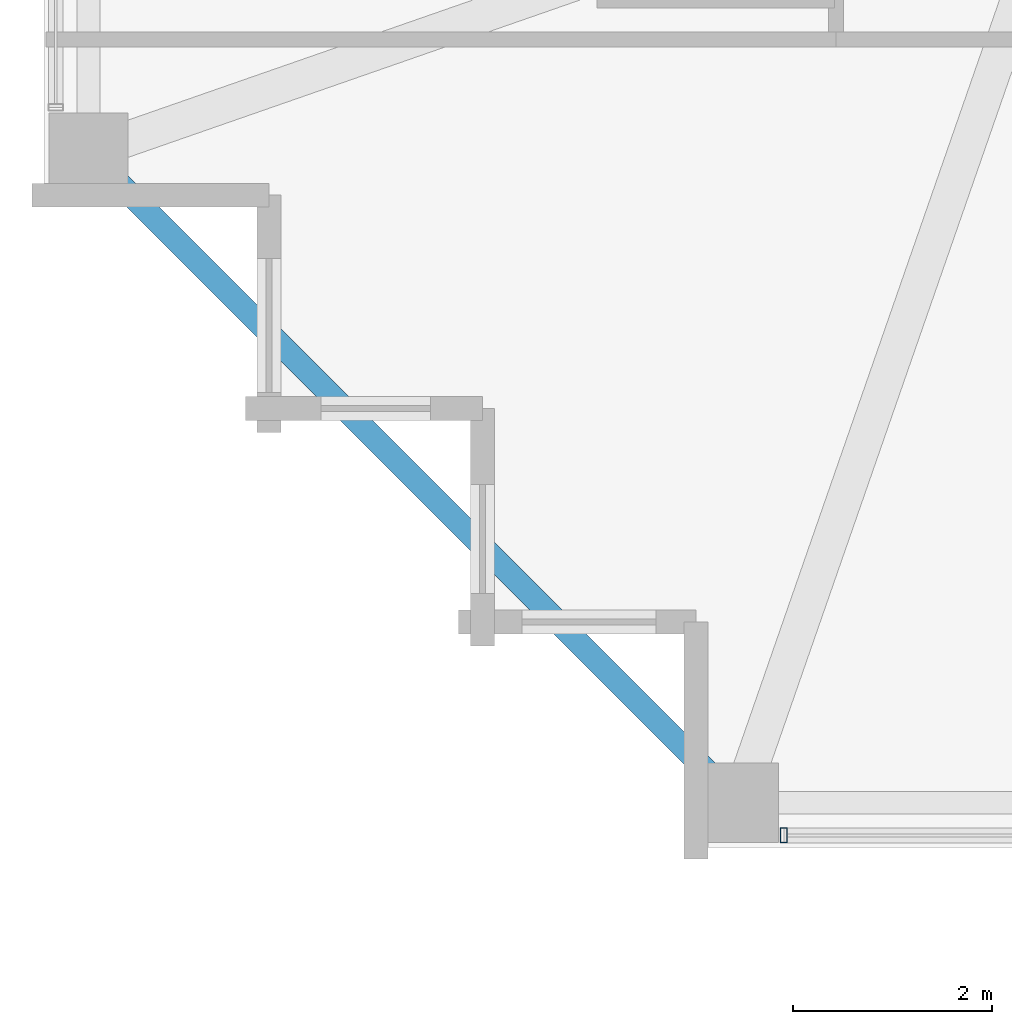
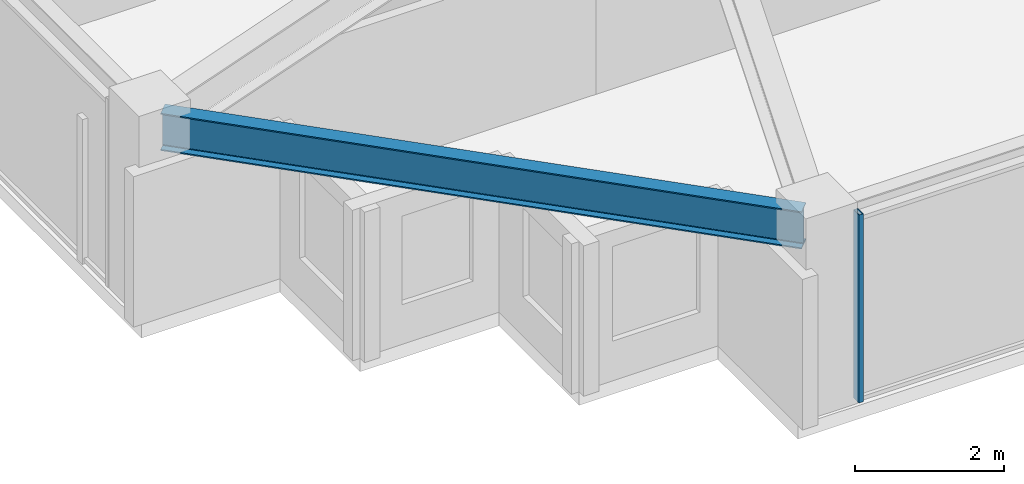
# One storey, part 2 of 36: 1 beam, 1 member, 1 element without a shape of its own.
"""IFC4 building model written with IfcOpenShell, lengths in metres."""

from ifc_helpers import new_model, si_unit, direction, frame, origin, origin_2d, place, context, subcontext, project, spatial, hollow_rectangle, i_section, extrude, material, material_profile, profile_set, type_object, element, aggregate, save


model = new_model("IFC4")

# Units and contexts
model_context = context("Model", 3, precision=1e-05, world=origin(), true_north=direction((0.0, 1.0)))
body_context = subcontext(model_context, "Body", "Model", "MODEL_VIEW")
ifc_project = project(units=[si_unit("LENGTHUNIT", "METRE"), si_unit("AREAUNIT", "SQUARE_METRE"), si_unit("VOLUMEUNIT", "CUBIC_METRE"), si_unit("PLANEANGLEUNIT", "RADIAN"), si_unit("MASSUNIT", "GRAM", prefix="KILO")], contexts=[model_context])

# Site, building, storey
site_placement = place(None, origin())
site = spatial("IfcSite", under=ifc_project, at=site_placement, CompositionType="ELEMENT")
building_placement = place(site_placement, origin())
building = spatial("IfcBuilding", under=site, at=building_placement, Name="Kolvaren Belvedere", CompositionType="ELEMENT")
storey_placement = place(building_placement, frame((0.0, 0.0, 199.800048828125)))
storey = spatial("IfcBuildingStorey", under=building, at=storey_placement, Name="L58", CompositionType="ELEMENT", Elevation=199.800048828125)

# Beam
ifc_material_1 = material(Name="Structural steel ASTM A992 Grade 50", Category="steel")
ifc_material_profile_1 = material_profile(ifc_material_1, i_section(OverallWidth=0.22900390625, OverallDepth=0.612060546875, WebThickness=0.011962890625, FlangeThickness=0.01953125, FilletRadius=0.01806640625, at=origin_2d()), Name="W24X84")
ifc_profile_set_1 = profile_set([ifc_material_profile_1], Name="Structural steel ASTM A992 Grade 50")
beam_type = type_object("IfcBeamType", Name="BM-SPAN-W24X84", PredefinedType="SPANDREL", material=ifc_profile_set_1)
beam_placement = place(storey_placement, frame((-19.82275390625, -13.52734375, 2.77392578125), z_axis=(0.707106781187, -0.707106781187, 0.0), x_axis=(0.707106781187, 0.707106781187, 0.0)))
element("IfcBeam", 1, at=beam_placement, inside=storey, type_object=beam_type, Name="L58 Perimeter Spandrel W1-S1", PredefinedType="SPANDREL", context=body_context, shape_type="SweptSolid", body=[
    extrude(i_section(OverallWidth=0.22900390625, OverallDepth=0.612060546875, WebThickness=0.011962890625, FlangeThickness=0.01953125, FilletRadius=0.01806640625, at=origin_2d()), origin(), (0.0, 0.0, 1.0), 8.903076171875),
])

# Curtain wall, member
ifc_material_2 = material(Name="Anodised pale-metal aluminium AA 6063-T6", Category="aluminium")
curtain_wall_type = type_object("IfcCurtainWallType", Name="CW-Z5-HIGH", PredefinedType="NOTDEFINED", material=ifc_material_2)
curtain_wall_placement = place(storey_placement, origin())
curtain_wall = element("IfcCurtainWall", 2, at=curtain_wall_placement, inside=storey, type_object=curtain_wall_type, Name="L58 Unitised Curtain Wall FCW-L58-S2-B2", PredefinedType="NOTDEFINED")
ifc_material_3 = material(Name="Anodised pale-metal aluminium AA 6063-T6", Category="aluminium")
ifc_material_profile_2 = material_profile(ifc_material_3, hollow_rectangle(XDim=0.070068359375, YDim=0.14990234375, WallThickness=0.004150390625, at=origin_2d()), Name="ALU-MUL-150X70")
ifc_profile_set_2 = profile_set([ifc_material_profile_2], Name="Anodised pale-metal aluminium AA 6063-T6")
member_type = type_object("IfcMemberType", Name="CW-MUL-150", PredefinedType="MULLION", material=ifc_profile_set_2)
member_placement = place(storey_placement, frame((-12.945068359375, -20.280029296875, 0.0), z_axis=(0.0, 0.0, 1.0), x_axis=(1.0, 0.0, 0.0)))
member = element("IfcMember", 3, at=member_placement, type_object=member_type, Name="FCW-L58-S2-B2 Unitised Mullion 3", PredefinedType="MULLION", context=body_context, shape_type="SweptSolid", body=[
    extrude(hollow_rectangle(XDim=0.070068359375, YDim=0.14990234375, WallThickness=0.004150390625, at=origin_2d()), origin(), (0.0, 0.0, 1.0), 3.079833984375),
])
aggregate(curtain_wall, [member])

save(model, "model.ifc")
